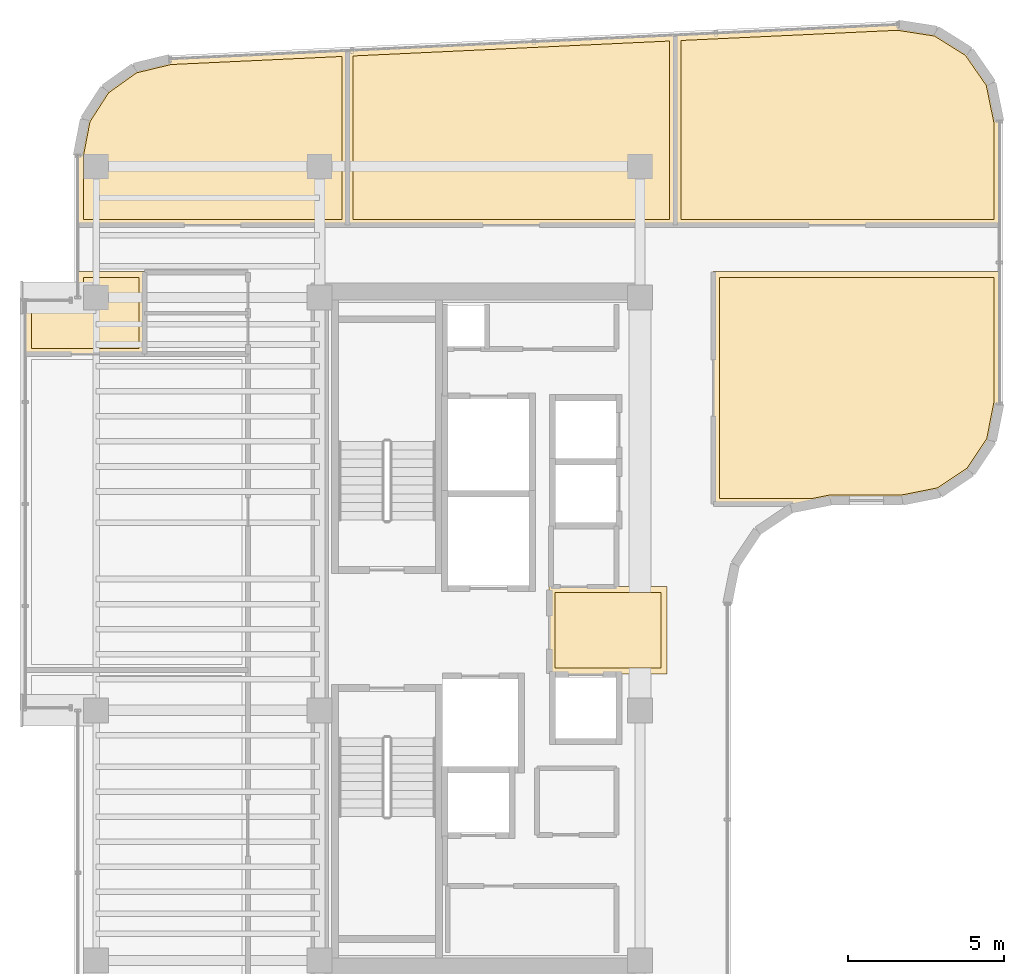
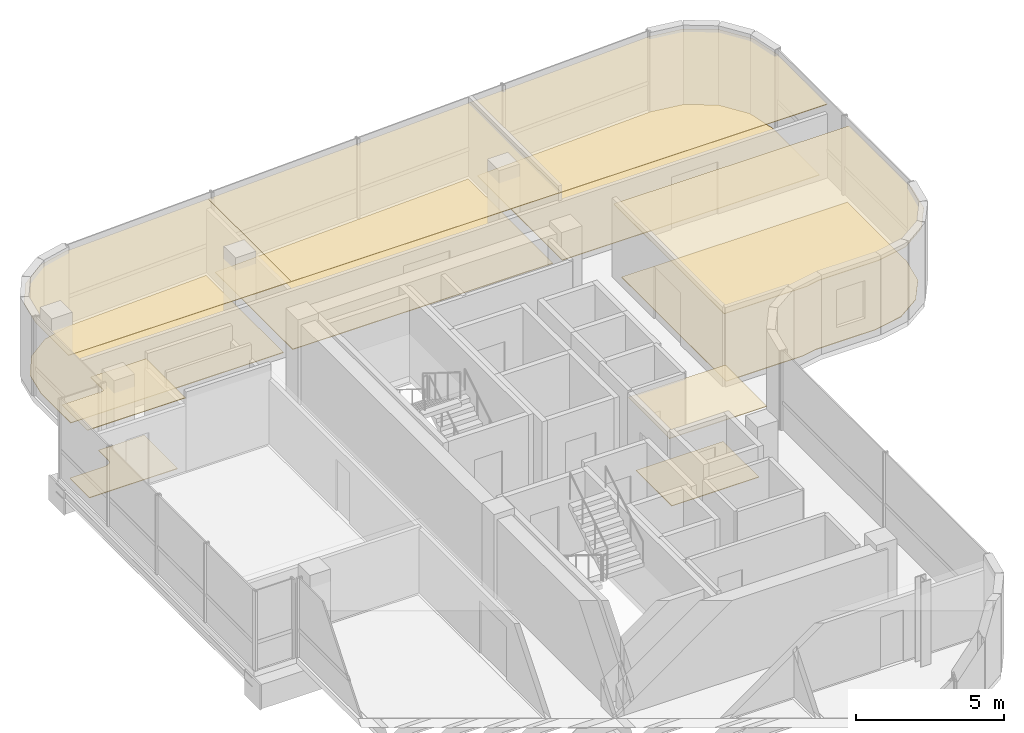
# One storey, part 18 of 18: 12 coverings.
"""IFC4 building model written with IfcOpenShell, lengths in metres."""

from ifc_helpers import new_model, si_unit, direction, frame, origin, place, context, subcontext, project, spatial, polyline, outline, extrude, material, layer, layer_set, type_object, element, save


model = new_model("IFC4")

# Units and contexts
model_context = context("Model", 3, precision=1e-05, world=origin(), true_north=direction((0.0, 1.0)))
body_context = subcontext(model_context, "Body", "Model", "MODEL_VIEW")
ifc_project = project(units=[si_unit("LENGTHUNIT", "METRE"), si_unit("AREAUNIT", "SQUARE_METRE"), si_unit("VOLUMEUNIT", "CUBIC_METRE"), si_unit("PLANEANGLEUNIT", "RADIAN"), si_unit("MASSUNIT", "GRAM", prefix="KILO")], contexts=[model_context])

# Site, building, storey
site_placement = place(None, origin())
site = spatial("IfcSite", under=ifc_project, at=site_placement, CompositionType="ELEMENT")
building_placement = place(site_placement, origin())
building = spatial("IfcBuilding", under=site, at=building_placement, Name="Valdorenza Pilgrim Sanctuary Tower", CompositionType="ELEMENT")
storey_placement = place(building_placement, frame((0.0, 0.0, 276.5)))
storey = spatial("IfcBuildingStorey", under=building, at=storey_placement, Name="L72", CompositionType="ELEMENT", Elevation=276.5)

# Coverings
ifc_material_1 = material(Name="Micro-perforated acoustic mineral ceiling tile", Category="gypsum")
ifc_layer_1 = layer(ifc_material_1, 0.02490234375, Name="Micro-perforated acoustic mineral ceiling tile")
ifc_layer_set_1 = layer_set([ifc_layer_1], Name="Micro-perforated acoustic mineral ceiling tile")
covering_type_1 = type_object("IfcCoveringType", Name="COV-CLG-ACU", PredefinedType="CEILING", material=ifc_layer_set_1)
covering_1_placement = place(storey_placement, frame((0.0, 0.0, 2.9599609375)))
element("IfcCovering", 1, at=covering_1_placement, inside=storey, type_object=covering_type_1, Name="L72 Core A Passenger Lift Lobby Acoustic Ceiling", PredefinedType="CEILING", context=body_context, shape_type="SweptSolid", body=[
    extrude(outline(polyline([(-15.31494140625, 1.35009765625), (-15.31494140625, 1.3515625), (-15.314697265625, 1.352783203125), (-15.314453125, 1.3544921875), (-15.31396484375, 1.355712890625), (-15.313232421875, 1.357177734375), (-15.3125, 1.3583984375), (-15.3115234375, 1.359619140625), (-15.310546875, 1.360595703125), (-15.3095703125, 1.361572265625), (-15.308349609375, 1.362548828125), (-15.30712890625, 1.36328125), (-15.3056640625, 1.364013671875), (-15.304443359375, 1.364501953125), (-15.302978515625, 1.36474609375), (-15.301513671875, 1.364990234375), (-15.300048828125, 1.364990234375), (-11.550048828125, 1.364990234375), (-11.548583984375, 1.364990234375), (-11.547119140625, 1.36474609375), (-11.545654296875, 1.364501953125), (-11.544189453125, 1.364013671875), (-11.54296875, 1.36328125), (-11.541748046875, 1.362548828125), (-11.54052734375, 1.361572265625), (-11.539306640625, 1.360595703125), (-11.538330078125, 1.359619140625), (-11.53759765625, 1.3583984375), (-11.536865234375, 1.357177734375), (-11.5361328125, 1.355712890625), (-11.53564453125, 1.3544921875), (-11.535400390625, 1.352783203125), (-11.53515625, 1.3515625), (-11.534912109375, 1.35009765625), (-11.534912109375, -1.419921875), (-11.53515625, -1.42138671875), (-11.535400390625, -1.4228515625), (-11.53564453125, -1.42431640625), (-11.5361328125, -1.42578125), (-11.536865234375, -1.427001953125), (-11.53759765625, -1.42822265625), (-11.538330078125, -1.429443359375), (-11.539306640625, -1.4306640625), (-11.54052734375, -1.431640625), (-11.541748046875, -1.4326171875), (-11.54296875, -1.43310546875), (-11.544189453125, -1.433837890625), (-11.545654296875, -1.434326171875), (-11.547119140625, -1.434814453125), (-11.548583984375, -1.434814453125), (-11.550048828125, -1.43505859375), (-15.298095703125, -1.43505859375), (-15.299560546875, -1.434814453125), (-15.30078125, -1.434814453125), (-15.302490234375, -1.434326171875), (-15.3037109375, -1.433837890625), (-15.30517578125, -1.43310546875), (-15.306396484375, -1.4326171875), (-15.3076171875, -1.431640625), (-15.30859375, -1.4306640625), (-15.3095703125, -1.429443359375), (-15.310546875, -1.42822265625), (-15.311279296875, -1.427001953125), (-15.31201171875, -1.42578125), (-15.3125, -1.42431640625), (-15.312744140625, -1.4228515625), (-15.31298828125, -1.42138671875), (-15.31298828125, -1.419921875), (-15.31298828125, 1.244384765625), (-15.31298828125, 1.24462890625), (-15.313720703125, 1.24609375), (-15.314208984375, 1.24755859375), (-15.314697265625, 1.2490234375), (-15.31494140625, 1.25048828125), (-15.31494140625, 1.251953125), (-15.31494140625, 1.35009765625)])), origin(), (0.0, 0.0, 1.0), 0.025146484375),
])
covering_2_placement = place(storey_placement, frame((0.0, 0.0, 2.9599609375)))
element("IfcCovering", 2, at=covering_2_placement, inside=storey, type_object=covering_type_1, Name="L72 Pilgrim Scholar Office L72-WN Acoustic Ceiling", PredefinedType="CEILING", context=body_context, shape_type="SweptSolid", body=[
    extrude(outline(polyline([(-28.237060546875, 11.39453125), (-28.237060546875, 10.103759765625), (-28.23681640625, 10.10302734375), (-28.23681640625, 10.1015625), (-28.23681640625, 10.10009765625), (-28.23681640625, 10.098388671875), (-28.237060546875, 10.09814453125), (-28.237060546875, 8.800048828125), (-28.237060546875, 8.798583984375), (-28.2373046875, 8.797119140625), (-28.237548828125, 8.795654296875), (-28.238037109375, 8.794189453125), (-28.23876953125, 8.79296875), (-28.239501953125, 8.791748046875), (-28.240478515625, 8.79052734375), (-28.241455078125, 8.789306640625), (-28.242431640625, 8.788330078125), (-28.24365234375, 8.78759765625), (-28.244873046875, 8.786865234375), (-28.246337890625, 8.7861328125), (-28.24755859375, 8.78564453125), (-28.2490234375, 8.785400390625), (-28.25048828125, 8.78515625), (-28.251953125, 8.784912109375), (-32.0400390625, 8.784912109375), (-32.04150390625, 8.78515625), (-32.04296875, 8.785400390625), (-32.04443359375, 8.78564453125), (-32.045654296875, 8.7861328125), (-32.047119140625, 8.786865234375), (-32.04833984375, 8.78759765625), (-32.049560546875, 8.788330078125), (-32.050537109375, 8.789306640625), (-32.051513671875, 8.79052734375), (-32.052490234375, 8.791748046875), (-32.05322265625, 8.79296875), (-32.053955078125, 8.794189453125), (-32.054443359375, 8.795654296875), (-32.0546875, 8.797119140625), (-32.054931640625, 8.798583984375), (-32.054931640625, 8.800048828125), (-32.054931640625, 10.489990234375), (-32.054931640625, 10.491455078125), (-32.0546875, 10.492919921875), (-32.054443359375, 10.494384765625), (-32.053955078125, 10.49560546875), (-32.05322265625, 10.4970703125), (-32.052490234375, 10.498291015625), (-32.051513671875, 10.49951171875), (-32.050537109375, 10.50048828125), (-32.049560546875, 10.501708984375), (-32.04833984375, 10.50244140625), (-32.047119140625, 10.503173828125), (-32.045654296875, 10.50390625), (-32.04443359375, 10.50439453125), (-32.04296875, 10.504638671875), (-32.04150390625, 10.5048828125), (-32.0400390625, 10.5048828125), (-30.50048828125, 10.5048828125), (-30.49072265625, 10.505615234375), (-30.4814453125, 10.5068359375), (-30.472412109375, 10.509033203125), (-30.463623046875, 10.51220703125), (-30.455078125, 10.51611328125), (-30.447265625, 10.52099609375), (-30.439697265625, 10.526611328125), (-30.432861328125, 10.53271484375), (-30.426513671875, 10.539794921875), (-30.4208984375, 10.547119140625), (-30.416259765625, 10.55517578125), (-30.412109375, 10.563720703125), (-30.4091796875, 10.572509765625), (-30.40673828125, 10.58154296875), (-30.405517578125, 10.5908203125), (-30.405029296875, 10.600341796875), (-30.405029296875, 11.419921875), (-30.40478515625, 11.42138671875), (-30.40478515625, 11.4228515625), (-30.404296875, 11.42431640625), (-30.40380859375, 11.42578125), (-30.4033203125, 11.427001953125), (-30.402587890625, 11.42822265625), (-30.401611328125, 11.429443359375), (-30.400634765625, 11.4306640625), (-30.3994140625, 11.431640625), (-30.398193359375, 11.4326171875), (-30.397216796875, 11.43310546875), (-30.395751953125, 11.433837890625), (-30.394287109375, 11.434326171875), (-30.392822265625, 11.434814453125), (-30.3916015625, 11.434814453125), (-30.389892578125, 11.43505859375), (-28.25, 11.43505859375), (-28.24853515625, 11.434814453125), (-28.2470703125, 11.434814453125), (-28.24560546875, 11.434326171875), (-28.244384765625, 11.433837890625), (-28.242919921875, 11.43310546875), (-28.24169921875, 11.4326171875), (-28.240478515625, 11.431640625), (-28.239501953125, 11.4306640625), (-28.23828125, 11.429443359375), (-28.237548828125, 11.42822265625), (-28.23681640625, 11.427001953125), (-28.236083984375, 11.42578125), (-28.235595703125, 11.42431640625), (-28.2353515625, 11.4228515625), (-28.235107421875, 11.42138671875), (-28.235107421875, 11.419921875), (-28.235107421875, 11.402099609375), (-28.235107421875, 11.400390625), (-28.2353515625, 11.39892578125), (-28.235595703125, 11.3974609375), (-28.236083984375, 11.39599609375), (-28.23681640625, 11.394775390625), (-28.237060546875, 11.39453125)])), origin(), (0.0, 0.0, 1.0), 0.025146484375),
])
covering_3_placement = place(storey_placement, frame((0.0, 0.0, 2.9599609375)))
element("IfcCovering", 3, at=covering_3_placement, inside=storey, type_object=covering_type_1, Name="L72 Sacred Art Exhibition Gallery L72-N1 Acoustic Ceiling", PredefinedType="CEILING", context=body_context, shape_type="SweptSolid", body=[
    extrude(outline(polyline([(-30.389892578125, 12.905029296875), (-30.3916015625, 12.905029296875), (-30.392822265625, 12.9052734375), (-30.394287109375, 12.905517578125), (-30.395751953125, 12.906005859375), (-30.397216796875, 12.90673828125), (-30.398193359375, 12.907470703125), (-30.3994140625, 12.908447265625), (-30.400634765625, 12.909423828125), (-30.401611328125, 12.910400390625), (-30.402587890625, 12.91162109375), (-30.4033203125, 12.912841796875), (-30.40380859375, 12.914306640625), (-30.404296875, 12.91552734375), (-30.40478515625, 12.9169921875), (-30.40478515625, 12.91845703125), (-30.405029296875, 12.919921875), (-30.405029296875, 15.13671875), (-30.40478515625, 15.13818359375), (-30.40478515625, 15.1396484375), (-30.181396484375, 16.298095703125), (-30.180908203125, 16.299560546875), (-30.180419921875, 16.30078125), (-30.179931640625, 16.30224609375), (-30.17919921875, 16.303466796875), (-29.547119140625, 17.286865234375), (-29.546142578125, 17.2880859375), (-29.545166015625, 17.2890625), (-29.544189453125, 17.2900390625), (-29.54296875, 17.291015625), (-28.59033203125, 17.968994140625), (-28.589111328125, 17.9697265625), (-28.587890625, 17.97021484375), (-28.586669921875, 17.970947265625), (-28.585205078125, 17.97119140625), (-27.438720703125, 18.248779296875), (-27.437255859375, 18.249267578125), (-27.435791015625, 18.249267578125), (-21.7607421875, 18.516845703125), (-21.75927734375, 18.516845703125), (-21.7578125, 18.5166015625), (-21.756103515625, 18.516357421875), (-21.7548828125, 18.515869140625), (-21.75341796875, 18.515380859375), (-21.751953125, 18.5146484375), (-21.750732421875, 18.513671875), (-21.74951171875, 18.5126953125), (-21.74853515625, 18.51171875), (-21.747802734375, 18.510498046875), (-21.746826171875, 18.509033203125), (-21.74609375, 18.5078125), (-21.74560546875, 18.50634765625), (-21.745361328125, 18.5048828125), (-21.7451171875, 18.50341796875), (-21.7451171875, 18.501708984375), (-21.7451171875, 12.919921875), (-21.7451171875, 12.91845703125), (-21.745361328125, 12.9169921875), (-21.74560546875, 12.91552734375), (-21.74609375, 12.914306640625), (-21.746826171875, 12.912841796875), (-21.74755859375, 12.91162109375), (-21.748291015625, 12.910400390625), (-21.74951171875, 12.909423828125), (-21.75048828125, 12.908447265625), (-21.751708984375, 12.907470703125), (-21.7529296875, 12.90673828125), (-21.75439453125, 12.906005859375), (-21.755615234375, 12.905517578125), (-21.757080078125, 12.9052734375), (-21.758544921875, 12.905029296875), (-21.760009765625, 12.905029296875), (-30.389892578125, 12.905029296875)])), origin(), (0.0, 0.0, 1.0), 0.025146484375),
])
covering_4_placement = place(storey_placement, frame((0.0, 0.0, 2.9599609375)))
element("IfcCovering", 4, at=covering_4_placement, inside=storey, type_object=covering_type_1, Name="L72 Sacred Art Exhibition Gallery L72-N2 Acoustic Ceiling", PredefinedType="CEILING", context=body_context, shape_type="SweptSolid", body=[
    extrude(outline(polyline([(-21.77294921875, 18.501708984375), (-21.77294921875, 18.502685546875), (-21.772705078125, 18.504150390625), (-21.772705078125, 18.505615234375), (-21.772216796875, 18.507080078125), (-21.771484375, 18.50830078125), (-21.77099609375, 18.509765625), (-21.77001953125, 18.510986328125), (-21.76904296875, 18.511962890625), (-21.76806640625, 18.51318359375), (-21.766845703125, 18.513916015625), (-21.765625, 18.514892578125), (-21.764404296875, 18.515380859375), (-21.762939453125, 18.51611328125), (-21.76171875, 18.5166015625), (-21.76025390625, 18.516845703125), (-21.7587890625, 18.516845703125), (-11.28076171875, 19.010986328125), (-11.279296875, 19.010986328125), (-11.277587890625, 19.0107421875), (-11.276123046875, 19.010498046875), (-11.27490234375, 19.010009765625), (-11.2734375, 19.00927734375), (-11.27197265625, 19.008544921875), (-11.270751953125, 19.0078125), (-11.26953125, 19.006591796875), (-11.2685546875, 19.005615234375), (-11.267578125, 19.00439453125), (-11.266845703125, 19.003173828125), (-11.26611328125, 19.001708984375), (-11.265625, 19.00048828125), (-11.265380859375, 18.998779296875), (-11.26513671875, 18.997314453125), (-11.264892578125, 18.995849609375), (-11.264892578125, 12.919921875), (-11.26513671875, 12.91845703125), (-11.265380859375, 12.9169921875), (-11.265625, 12.91552734375), (-11.26611328125, 12.914306640625), (-11.266845703125, 12.912841796875), (-11.267578125, 12.91162109375), (-11.268310546875, 12.910400390625), (-11.269287109375, 12.909423828125), (-11.2705078125, 12.908447265625), (-11.271728515625, 12.907470703125), (-11.27294921875, 12.90673828125), (-11.2744140625, 12.906005859375), (-11.275634765625, 12.905517578125), (-11.277099609375, 12.9052734375), (-11.278564453125, 12.905029296875), (-11.280029296875, 12.905029296875), (-21.758056640625, 12.905029296875), (-21.759521484375, 12.905029296875), (-21.760986328125, 12.9052734375), (-21.762451171875, 12.905517578125), (-21.763671875, 12.906005859375), (-21.76513671875, 12.90673828125), (-21.766357421875, 12.907470703125), (-21.767578125, 12.908447265625), (-21.7685546875, 12.909423828125), (-21.76953125, 12.910400390625), (-21.7705078125, 12.91162109375), (-21.771240234375, 12.912841796875), (-21.77197265625, 12.914306640625), (-21.7724609375, 12.91552734375), (-21.772705078125, 12.9169921875), (-21.77294921875, 12.91845703125), (-21.77294921875, 12.919921875), (-21.77294921875, 18.501708984375), (-21.77294921875, 18.501708984375)])), origin(), (0.0, 0.0, 1.0), 0.025146484375),
])
covering_5_placement = place(storey_placement, frame((0.0, 0.0, 2.9599609375)))
element("IfcCovering", 5, at=covering_5_placement, inside=storey, type_object=covering_type_1, Name="L72 Sacred Art Exhibition Gallery L72-N3 Acoustic Ceiling", PredefinedType="CEILING", context=body_context, shape_type="SweptSolid", body=[
    extrude(outline(polyline([(-11.29296875, 18.995849609375), (-11.29296875, 18.99658203125), (-11.292724609375, 18.998291015625), (-11.29248046875, 18.99951171875), (-11.2919921875, 19.0009765625), (-11.29150390625, 19.00244140625), (-11.291015625, 19.003662109375), (-11.2900390625, 19.0048828125), (-11.2890625, 19.006103515625), (-11.2880859375, 19.007080078125), (-11.286865234375, 19.008056640625), (-11.28564453125, 19.0087890625), (-11.284423828125, 19.009521484375), (-11.282958984375, 19.010009765625), (-11.281494140625, 19.010498046875), (-11.2802734375, 19.0107421875), (-11.27880859375, 19.010986328125), (-4.157470703125, 19.3466796875), (-4.156005859375, 19.3466796875), (-4.154296875, 19.346435546875), (-2.91748046875, 19.153076171875), (-2.916015625, 19.152587890625), (-2.91455078125, 19.15234375), (-2.9130859375, 19.151611328125), (-2.911865234375, 19.15087890625), (-1.860595703125, 18.492431640625), (-1.859619140625, 18.49169921875), (-1.8583984375, 18.490478515625), (-1.857421875, 18.489501953125), (-1.8564453125, 18.48828125), (-1.149169921875, 17.46923828125), (-1.148193359375, 17.468017578125), (-1.147705078125, 17.466552734375), (-1.147216796875, 17.465087890625), (-1.146728515625, 17.463623046875), (-0.895263671875, 16.237548828125), (-0.89501953125, 16.236083984375), (-0.89501953125, 16.234375), (-0.89501953125, 12.919921875), (-0.89501953125, 12.91845703125), (-0.895263671875, 12.9169921875), (-0.8955078125, 12.91552734375), (-0.89599609375, 12.914306640625), (-0.896728515625, 12.912841796875), (-0.8974609375, 12.91162109375), (-0.8984375, 12.910400390625), (-0.8994140625, 12.909423828125), (-0.900390625, 12.908447265625), (-0.901611328125, 12.907470703125), (-0.90283203125, 12.90673828125), (-0.904296875, 12.906005859375), (-0.905517578125, 12.905517578125), (-0.906982421875, 12.9052734375), (-0.908447265625, 12.905029296875), (-0.909912109375, 12.905029296875), (-11.278076171875, 12.905029296875), (-11.279541015625, 12.905029296875), (-11.281005859375, 12.9052734375), (-11.282470703125, 12.905517578125), (-11.28369140625, 12.906005859375), (-11.28515625, 12.90673828125), (-11.286376953125, 12.907470703125), (-11.28759765625, 12.908447265625), (-11.28857421875, 12.909423828125), (-11.28955078125, 12.910400390625), (-11.29052734375, 12.91162109375), (-11.291259765625, 12.912841796875), (-11.2919921875, 12.914306640625), (-11.29248046875, 12.91552734375), (-11.292724609375, 12.9169921875), (-11.29296875, 12.91845703125), (-11.29296875, 12.919921875), (-11.29296875, 18.995849609375), (-11.29296875, 18.995849609375)])), origin(), (0.0, 0.0, 1.0), 0.025146484375),
])
covering_6_placement = place(storey_placement, frame((0.0, 0.0, 2.9599609375)))
element("IfcCovering", 6, at=covering_6_placement, inside=storey, type_object=covering_type_1, Name="L72 Sacred Art Exhibition Gallery L72-E1 Acoustic Ceiling", PredefinedType="CEILING", context=body_context, shape_type="SweptSolid", body=[
    extrude(outline(polyline([(-10.06494140625, 11.419921875), (-10.06494140625, 11.42138671875), (-10.064697265625, 11.4228515625), (-10.064453125, 11.42431640625), (-10.06396484375, 11.42578125), (-10.063232421875, 11.427001953125), (-10.0625, 11.42822265625), (-10.0615234375, 11.429443359375), (-10.060546875, 11.4306640625), (-10.0595703125, 11.431640625), (-10.058349609375, 11.4326171875), (-10.05712890625, 11.43310546875), (-10.0556640625, 11.433837890625), (-10.054443359375, 11.434326171875), (-10.052978515625, 11.434814453125), (-10.051513671875, 11.434814453125), (-10.050048828125, 11.43505859375), (-0.909912109375, 11.43505859375), (-0.908447265625, 11.434814453125), (-0.906982421875, 11.434814453125), (-0.905517578125, 11.434326171875), (-0.904296875, 11.433837890625), (-0.90283203125, 11.43310546875), (-0.901611328125, 11.4326171875), (-0.900390625, 11.431640625), (-0.8994140625, 11.4306640625), (-0.8984375, 11.429443359375), (-0.8974609375, 11.42822265625), (-0.896728515625, 11.427001953125), (-0.89599609375, 11.42578125), (-0.8955078125, 11.42431640625), (-0.895263671875, 11.4228515625), (-0.89501953125, 11.42138671875), (-0.89501953125, 11.419921875), (-0.89501953125, 7.210693359375), (-0.89501953125, 7.20947265625), (-0.895263671875, 7.2080078125), (-1.132568359375, 6.015380859375), (-1.1328125, 6.013916015625), (-1.13330078125, 6.0126953125), (-1.134033203125, 6.01123046875), (-1.134765625, 6.010009765625), (-1.80419921875, 5.00830078125), (-1.804931640625, 5.007080078125), (-1.805908203125, 5.006103515625), (-1.80712890625, 5.0048828125), (-1.808349609375, 5.004150390625), (-2.81005859375, 4.334716796875), (-2.811279296875, 4.333984375), (-2.8125, 4.33349609375), (-2.81396484375, 4.3330078125), (-2.8154296875, 4.33251953125), (-4.0078125, 4.09521484375), (-4.009521484375, 4.09521484375), (-4.0107421875, 4.094970703125), (-6.299560546875, 4.094970703125), (-6.309326171875, 4.094482421875), (-6.31884765625, 4.093017578125), (-6.86083984375, 3.9853515625), (-6.8623046875, 3.985107421875), (-6.86376953125, 3.985107421875), (-10.050048828125, 3.985107421875), (-10.051513671875, 3.985107421875), (-10.052978515625, 3.9853515625), (-10.054443359375, 3.985595703125), (-10.0556640625, 3.986083984375), (-10.05712890625, 3.98681640625), (-10.058349609375, 3.987548828125), (-10.0595703125, 3.98828125), (-10.060546875, 3.989501953125), (-10.0615234375, 3.990478515625), (-10.0625, 3.99169921875), (-10.063232421875, 3.992919921875), (-10.06396484375, 3.994384765625), (-10.064453125, 3.99560546875), (-10.064697265625, 3.9970703125), (-10.06494140625, 3.99853515625), (-10.06494140625, 4.0), (-10.06494140625, 11.419921875)])), origin(), (0.0, 0.0, 1.0), 0.025146484375),
])
ifc_material_2 = material(Name="Honed travertine stone flooring", Category="masonry")
ifc_layer_2 = layer(ifc_material_2, 0.030029296875, Name="Honed travertine stone flooring")
ifc_layer_set_2 = layer_set([ifc_layer_2], Name="Honed travertine stone flooring")
covering_type_2 = type_object("IfcCoveringType", Name="COV-FLR-TRV", PredefinedType="FLOORING", material=ifc_layer_set_2)
covering_7_placement = place(storey_placement, origin())
element("IfcCovering", 7, at=covering_7_placement, inside=storey, type_object=covering_type_2, Name="L72 Core A Passenger Lift Lobby Flooring", PredefinedType="FLOORING", context=body_context, shape_type="SweptSolid", body=[
    extrude(outline(polyline([(-15.117919921875, 1.169921875), (-11.72998046875, 1.169921875), (-11.72998046875, -1.239990234375), (-15.117919921875, -1.239990234375), (-15.117919921875, 1.169921875)])), origin(), (0.0, 0.0, 1.0), 0.02490234375),
])
covering_8_placement = place(storey_placement, origin())
element("IfcCovering", 8, at=covering_8_placement, inside=storey, type_object=covering_type_2, Name="L72 Pilgrim Scholar Office L72-WN Flooring", PredefinedType="FLOORING", context=body_context, shape_type="SweptSolid", body=[
    extrude(outline(polyline([(-28.431884765625, 11.239990234375), (-28.431884765625, 10.10205078125), (-28.431884765625, 10.10107421875), (-28.431884765625, 10.100341796875), (-28.431884765625, 10.10009765625), (-28.431884765625, 8.97998046875), (-31.860107421875, 8.97998046875), (-31.860107421875, 10.31005859375), (-30.5, 10.31005859375), (-30.4912109375, 10.310302734375), (-30.48046875, 10.310791015625), (-30.462890625, 10.3125), (-30.4521484375, 10.314208984375), (-30.434814453125, 10.3173828125), (-30.42431640625, 10.320068359375), (-30.407470703125, 10.3251953125), (-30.397216796875, 10.328857421875), (-30.380859375, 10.335693359375), (-30.37109375, 10.34033203125), (-30.355712890625, 10.3486328125), (-30.34619140625, 10.35400390625), (-30.331787109375, 10.364013671875), (-30.322998046875, 10.370361328125), (-30.309326171875, 10.381591796875), (-30.30126953125, 10.388916015625), (-30.288818359375, 10.4013671875), (-30.281494140625, 10.4091796875), (-30.2705078125, 10.423095703125), (-30.263916015625, 10.431640625), (-30.254150390625, 10.4462890625), (-30.24853515625, 10.45556640625), (-30.240234375, 10.47119140625), (-30.235595703125, 10.48095703125), (-30.22900390625, 10.497314453125), (-30.225341796875, 10.50732421875), (-30.22021484375, 10.5244140625), (-30.217529296875, 10.534912109375), (-30.214111328125, 10.552001953125), (-30.21240234375, 10.562744140625), (-30.210693359375, 10.580322265625), (-30.210205078125, 10.59130859375), (-30.2099609375, 10.60009765625), (-30.2099609375, 11.239990234375), (-28.431884765625, 11.239990234375)])), origin(), (0.0, 0.0, 1.0), 0.02490234375),
])
covering_9_placement = place(storey_placement, origin())
element("IfcCovering", 9, at=covering_9_placement, inside=storey, type_object=covering_type_2, Name="L72 Sacred Art Exhibition Gallery L72-N1 Flooring", PredefinedType="FLOORING", context=body_context, shape_type="SweptSolid", body=[
    extrude(outline(polyline([(-30.2099609375, 13.10009765625), (-30.2099609375, 15.11962890625), (-29.996337890625, 16.227294921875), (-29.401611328125, 17.152099609375), (-28.505615234375, 17.789794921875), (-27.409423828125, 18.055419921875), (-21.93994140625, 18.313232421875), (-21.93994140625, 13.10009765625), (-30.2099609375, 13.10009765625)])), origin(), (0.0, 0.0, 1.0), 0.02490234375),
])
covering_10_placement = place(storey_placement, origin())
element("IfcCovering", 10, at=covering_10_placement, inside=storey, type_object=covering_type_2, Name="L72 Sacred Art Exhibition Gallery L72-N2 Flooring", PredefinedType="FLOORING", context=body_context, shape_type="SweptSolid", body=[
    extrude(outline(polyline([(-21.577880859375, 13.10009765625), (-21.577880859375, 18.330078125), (-11.4599609375, 18.80712890625), (-11.4599609375, 13.10009765625), (-21.577880859375, 13.10009765625)])), origin(), (0.0, 0.0, 1.0), 0.02490234375),
])
covering_11_placement = place(storey_placement, origin())
element("IfcCovering", 11, at=covering_11_placement, inside=storey, type_object=covering_type_2, Name="L72 Sacred Art Exhibition Gallery L72-N3 Flooring", PredefinedType="FLOORING", context=body_context, shape_type="SweptSolid", body=[
    extrude(outline(polyline([(-4.16650390625, 19.15087890625), (-2.984130859375, 18.966064453125), (-1.99560546875, 18.3466796875), (-1.330322265625, 17.388427734375), (-1.090087890625, 16.21630859375), (-1.090087890625, 13.10009765625), (-11.097900390625, 13.10009765625), (-11.097900390625, 18.82421875), (-4.16650390625, 19.15087890625)])), origin(), (0.0, 0.0, 1.0), 0.02490234375),
])
covering_12_placement = place(storey_placement, origin())
element("IfcCovering", 12, at=covering_12_placement, inside=storey, type_object=covering_type_2, Name="L72 Sacred Art Exhibition Gallery L72-E1 Flooring", PredefinedType="FLOORING", context=body_context, shape_type="SweptSolid", body=[
    extrude(outline(polyline([(-9.8701171875, 11.239990234375), (-1.090087890625, 11.239990234375), (-1.090087890625, 7.228515625), (-1.31689453125, 6.088623046875), (-1.9462890625, 5.146484375), (-2.888671875, 4.516845703125), (-4.028564453125, 4.2900390625), (-6.300048828125, 4.2900390625), (-6.308837890625, 4.289794921875), (-6.319580078125, 4.289306640625), (-6.337158203125, 4.28759765625), (-6.347900390625, 4.285888671875), (-6.356689453125, 4.284423828125), (-6.881591796875, 4.179931640625), (-9.8701171875, 4.179931640625), (-9.8701171875, 11.239990234375)])), origin(), (0.0, 0.0, 1.0), 0.02490234375),
])

save(model, "model.ifc")
